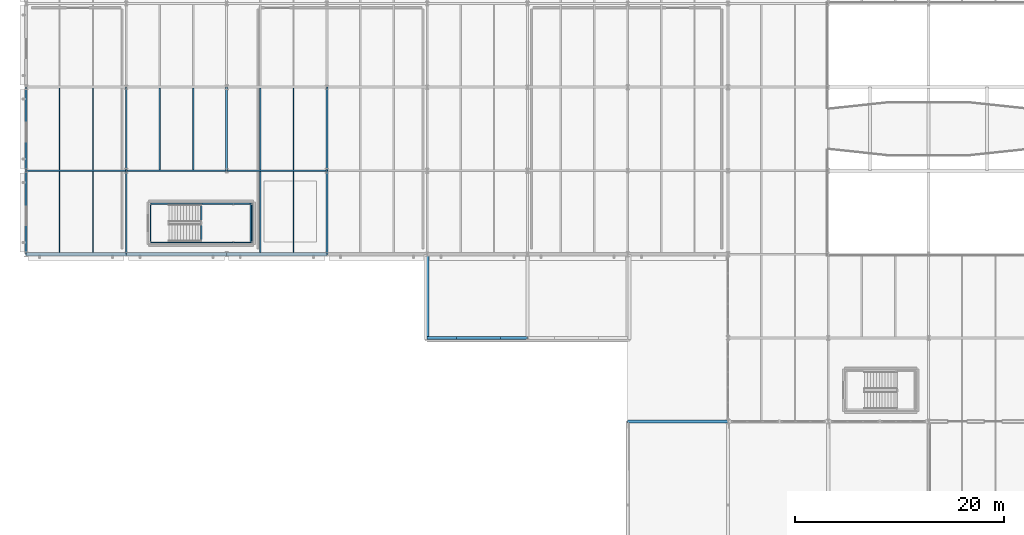
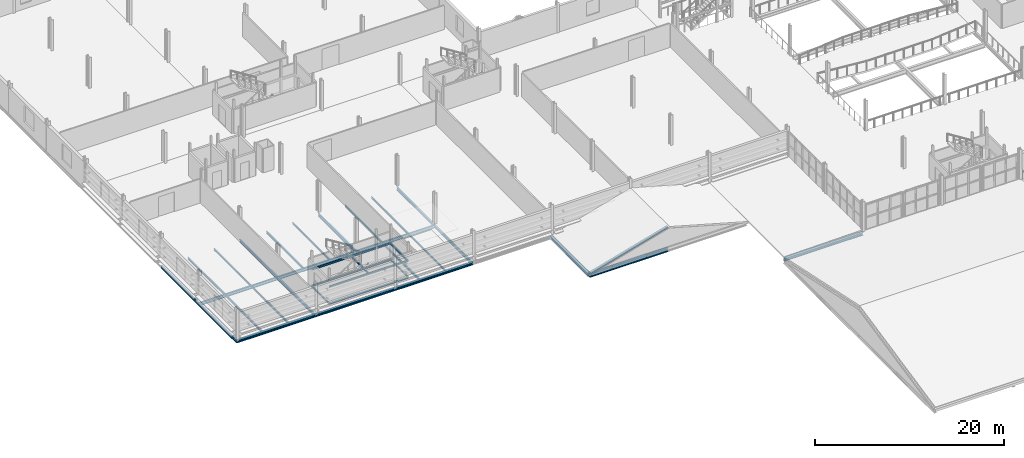
# One storey, part 27 of 85: 36 beams, 1 member.
"""IFC4 building model written with IfcOpenShell, lengths in metres."""

from ifc_helpers import new_model, si_unit, direction, frame, origin, origin_2d, place, context, subcontext, project, spatial, i_section, extrude, material, material_profile, profile_set, type_object, element, save


model = new_model("IFC4")

# Units and contexts
model_context = context("Model", 3, precision=1e-05, world=origin(), true_north=direction((0.0, 1.0)))
body_context = subcontext(model_context, "Body", "Model", "MODEL_VIEW")
ifc_project = project(units=[si_unit("LENGTHUNIT", "METRE"), si_unit("AREAUNIT", "SQUARE_METRE"), si_unit("VOLUMEUNIT", "CUBIC_METRE"), si_unit("PLANEANGLEUNIT", "RADIAN"), si_unit("MASSUNIT", "GRAM", prefix="KILO")], contexts=[model_context])

# Site, building, storey
site_placement = place(None, origin())
site = spatial("IfcSite", under=ifc_project, at=site_placement, CompositionType="ELEMENT")
building_placement = place(site_placement, origin())
building = spatial("IfcBuilding", under=site, at=building_placement, Name="Alderhovde Museum", CompositionType="ELEMENT")
storey_placement = place(building_placement, frame((0.0, 0.0, 8.699951171875)))
storey = spatial("IfcBuildingStorey", under=building, at=storey_placement, Name="L02", CompositionType="ELEMENT", Elevation=8.699951171875)

# Beams
ifc_material_1 = material(Name="Steel S355J2", Category="steel")
ifc_material_profile_1 = material_profile(ifc_material_1, i_section(OverallWidth=0.300048828125, OverallDepth=0.330078125, WebThickness=0.009521484375, FlangeThickness=0.0166015625, FilletRadius=0.027099609375, at=origin_2d()), Name="HEA 340")
ifc_profile_set_1 = profile_set([ifc_material_profile_1], Name="Steel S355J2")
beam_type_1 = type_object("IfcBeamType", Name="BM-HEA340", PredefinedType="BEAM", material=ifc_profile_set_1)
beam_1_placement = place(storey_placement, frame((67.199951171875, 32.0, -0.300048828125), z_axis=(1.0, 0.0, 0.0), x_axis=(0.0, 1.0, 0.0)))
element("IfcBeam", 1, at=beam_1_placement, inside=storey, type_object=beam_type_1, Name="Auditorium Roof Purlin Beam Y=32", PredefinedType="BEAM", context=body_context, shape_type="SweptSolid", body=[
    extrude(i_section(OverallWidth=0.300048828125, OverallDepth=0.330078125, WebThickness=0.009521484375, FlangeThickness=0.0166015625, FilletRadius=0.027099609375, at=origin_2d()), origin(), (0.0, 0.0, 1.0), 9.60009765625),
])
beam_2_placement = place(storey_placement, frame((48.0, 40.0, -0.429931640625), z_axis=(0.0, 1.0, 0.0), x_axis=(-1.0, 0.0, 0.0)))
element("IfcBeam", 2, at=beam_2_placement, inside=storey, type_object=beam_type_1, Name="Portico Cross Tie X=48.0", PredefinedType="BEAM", context=body_context, shape_type="SweptSolid", body=[
    extrude(i_section(OverallWidth=0.300048828125, OverallDepth=0.330078125, WebThickness=0.009521484375, FlangeThickness=0.0166015625, FilletRadius=0.027099609375, at=origin_2d()), origin(), (0.0, 0.0, 1.0), 8.0),
])
ifc_material_2 = material(Name="Steel S355J2", Category="steel")
ifc_material_profile_2 = material_profile(ifc_material_2, i_section(OverallWidth=0.300048828125, OverallDepth=0.449951171875, WebThickness=0.013916015625, FlangeThickness=0.02587890625, FilletRadius=0.027099609375, at=origin_2d()), Name="HEB 450")
ifc_profile_set_2 = profile_set([ifc_material_profile_2], Name="Steel S355J2")
beam_type_2 = type_object("IfcBeamType", Name="BM-HEB450", PredefinedType="BEAM", material=ifc_profile_set_2)
beam_3_placement = place(storey_placement, frame((48.0, 40.0, -0.48486328125), z_axis=(1.0, 0.0, 0.0), x_axis=(0.0, 1.0, 0.0)))
element("IfcBeam", 3, at=beam_3_placement, inside=storey, type_object=beam_type_2, Name="Portico Classical Entablature Beam (48.0 TO 50.8)", PredefinedType="BEAM", context=body_context, shape_type="SweptSolid", body=[
    extrude(i_section(OverallWidth=0.300048828125, OverallDepth=0.449951171875, WebThickness=0.013916015625, FlangeThickness=0.02587890625, FilletRadius=0.027099609375, at=origin_2d()), origin(), (0.0, 0.0, 1.0), 2.800048828125),
])
beam_4_placement = place(storey_placement, frame((50.800048828125, 40.0, -0.48486328125), z_axis=(1.0, 0.0, 0.0), x_axis=(0.0, 1.0, 0.0)))
element("IfcBeam", 4, at=beam_4_placement, inside=storey, type_object=beam_type_2, Name="Portico Classical Entablature Beam (50.8 TO 55.0)", PredefinedType="BEAM", context=body_context, shape_type="SweptSolid", body=[
    extrude(i_section(OverallWidth=0.300048828125, OverallDepth=0.449951171875, WebThickness=0.013916015625, FlangeThickness=0.02587890625, FilletRadius=0.027099609375, at=origin_2d()), origin(), (0.0, 0.0, 1.0), 4.199951171875),
])
beam_5_placement = place(storey_placement, frame((55.0, 40.0, -0.48486328125), z_axis=(1.0, 0.0, 0.0), x_axis=(0.0, 1.0, 0.0)))
element("IfcBeam", 5, at=beam_5_placement, inside=storey, type_object=beam_type_2, Name="Portico Classical Entablature Beam (55.0 TO 57.6)", PredefinedType="BEAM", context=body_context, shape_type="SweptSolid", body=[
    extrude(i_section(OverallWidth=0.300048828125, OverallDepth=0.449951171875, WebThickness=0.013916015625, FlangeThickness=0.02587890625, FilletRadius=0.027099609375, at=origin_2d()), origin(), (0.0, 0.0, 1.0), 2.60009765625),
])
ifc_material_3 = material(Name="Steel S355J2", Category="steel")
ifc_material_profile_3 = material_profile(ifc_material_3, i_section(OverallWidth=0.1201171875, OverallDepth=0.239990234375, WebThickness=0.006103515625, FlangeThickness=0.009765625, FilletRadius=0.014892578125, at=origin_2d()), Name="IPE 240")
ifc_profile_set_3 = profile_set([ifc_material_profile_3], Name="Steel S355J2")
beam_type_3 = type_object("IfcBeamType", Name="BM-IPE240", PredefinedType="BEAM", material=ifc_profile_set_3)
for number, where, z_axis, x_axis, name in (
    (6, (21.52001953125, 49.1201171875, -0.3798828125), (1.0, 0.0, 0.0), (0.0, 1.0, 0.0), "L02 Stair ST1 Floor Trimmer S"),
    (7, (21.52001953125, 52.840087890625, -0.3798828125), (1.0, 0.0, 0.0), (0.0, 1.0, 0.0), "L02 Stair ST1 Floor Trimmer N"),
):
    element("IfcBeam", number, at=place(storey_placement, frame(where, z_axis=z_axis, x_axis=x_axis)), inside=storey, type_object=beam_type_3, Name=name, PredefinedType="BEAM", context=body_context, shape_type="SweptSolid", body=[
        extrude(i_section(OverallWidth=0.1201171875, OverallDepth=0.239990234375, WebThickness=0.006103515625, FlangeThickness=0.009765625, FilletRadius=0.014892578125, at=origin_2d()), origin(), (0.0, 0.0, 1.0), 9.679931640625),
    ])
for number, where, z_axis, x_axis, name in (
    (8, (21.52001953125, 49.1201171875, -0.3798828125), (0.0, 1.0, 0.0), (-1.0, 0.0, 0.0), "L02 Stair ST1 Floor Trimmer W"),
    (9, (31.199951171875, 49.1201171875, -0.3798828125), (0.0, 1.0, 0.0), (-1.0, 0.0, 0.0), "L02 Stair ST1 Floor Trimmer E"),
):
    element("IfcBeam", number, at=place(storey_placement, frame(where, z_axis=z_axis, x_axis=x_axis)), inside=storey, type_object=beam_type_3, Name=name, PredefinedType="BEAM", context=body_context, shape_type="SweptSolid", body=[
        extrude(i_section(OverallWidth=0.1201171875, OverallDepth=0.239990234375, WebThickness=0.006103515625, FlangeThickness=0.009765625, FilletRadius=0.014892578125, at=origin_2d()), origin(), (0.0, 0.0, 1.0), 3.719970703125),
    ])
for number, where, z_axis, x_axis, name in (
    (10, (21.52001953125, 49.1201171875, 1.780029296875), (1.0, 0.0, 0.0), (0.0, 1.0, 0.0), "L02 Stair ST1 Landing 1 Beam S"),
    (11, (21.52001953125, 52.840087890625, 1.780029296875), (1.0, 0.0, 0.0), (0.0, 1.0, 0.0), "L02 Stair ST1 Landing 1 Beam N"),
):
    element("IfcBeam", number, at=place(storey_placement, frame(where, z_axis=z_axis, x_axis=x_axis)), inside=storey, type_object=beam_type_3, Name=name, PredefinedType="BEAM", context=body_context, shape_type="SweptSolid", body=[
        extrude(i_section(OverallWidth=0.1201171875, OverallDepth=0.239990234375, WebThickness=0.006103515625, FlangeThickness=0.009765625, FilletRadius=0.014892578125, at=origin_2d()), origin(), (0.0, 0.0, 1.0), 9.679931640625),
    ])
for number, where, z_axis, x_axis, name in (
    (12, (26.360107421875, 49.1201171875, 1.780029296875), (0.0, 1.0, 0.0), (-1.0, 0.0, 0.0), "L02 Stair ST1 Landing 1 Beam W"),
    (13, (31.1201171875, 49.1201171875, 1.780029296875), (0.0, 1.0, 0.0), (-1.0, 0.0, 0.0), "L02 Stair ST1 Landing 1 Beam E"),
):
    element("IfcBeam", number, at=place(storey_placement, frame(where, z_axis=z_axis, x_axis=x_axis)), inside=storey, type_object=beam_type_3, Name=name, PredefinedType="BEAM", context=body_context, shape_type="SweptSolid", body=[
        extrude(i_section(OverallWidth=0.1201171875, OverallDepth=0.239990234375, WebThickness=0.006103515625, FlangeThickness=0.009765625, FilletRadius=0.014892578125, at=origin_2d()), origin(), (0.0, 0.0, 1.0), 3.719970703125),
    ])
ifc_material_4 = material(Name="Steel S355J2", Category="steel")
ifc_material_profile_4 = material_profile(ifc_material_4, i_section(OverallWidth=0.169921875, OverallDepth=0.360107421875, WebThickness=0.008056640625, FlangeThickness=0.0126953125, FilletRadius=0.01806640625, at=origin_2d()), Name="IPE 360")
ifc_profile_set_4 = profile_set([ifc_material_profile_4], Name="Steel S355J2")
beam_type_4 = type_object("IfcBeamType", Name="BM-IPE360", PredefinedType="BEAM", material=ifc_profile_set_4)
for number, where, z_axis, x_axis, name in (
    (14, (9.60009765625, 48.0, -0.43994140625), (0.0, 1.0, 0.0), (-1.0, 0.0, 0.0), "L02 Grid Beam X=9.6 (48.0 TO 56.0)"),
    (15, (9.60009765625, 56.0, -0.43994140625), (0.0, 1.0, 0.0), (-1.0, 0.0, 0.0), "L02 Grid Beam X=9.6 (56.0 TO 64.0)"),
    (16, (19.199951171875, 48.0, -0.43994140625), (0.0, 1.0, 0.0), (-1.0, 0.0, 0.0), "L02 Grid Beam X=19.2 (48.0 TO 56.0)"),
    (17, (19.199951171875, 56.0, -0.43994140625), (0.0, 1.0, 0.0), (-1.0, 0.0, 0.0), "L02 Grid Beam X=19.2 (56.0 TO 64.0)"),
    (18, (28.800048828125, 56.0, -0.43994140625), (0.0, 1.0, 0.0), (-1.0, 0.0, 0.0), "L02 Grid Beam X=28.8 (56.0 TO 64.0)"),
    (19, (38.39990234375, 48.0, -0.43994140625), (0.0, 1.0, 0.0), (-1.0, 0.0, 0.0), "L02 Grid Beam X=38.4 (48.0 TO 56.0)"),
    (20, (38.39990234375, 56.0, -0.43994140625), (0.0, 1.0, 0.0), (-1.0, 0.0, 0.0), "L02 Grid Beam X=38.4 (56.0 TO 64.0)"),
):
    element("IfcBeam", number, at=place(storey_placement, frame(where, z_axis=z_axis, x_axis=x_axis)), inside=storey, type_object=beam_type_4, Name=name, PredefinedType="BEAM", context=body_context, shape_type="SweptSolid", body=[
        extrude(i_section(OverallWidth=0.169921875, OverallDepth=0.360107421875, WebThickness=0.008056640625, FlangeThickness=0.0126953125, FilletRadius=0.01806640625, at=origin_2d()), origin(), (0.0, 0.0, 1.0), 8.0),
    ])
ifc_material_5 = material(Name="Steel S355J2", Category="steel")
ifc_material_profile_5 = material_profile(ifc_material_5, i_section(OverallWidth=0.179931640625, OverallDepth=0.39990234375, WebThickness=0.008544921875, FlangeThickness=0.013427734375, FilletRadius=0.02099609375, at=origin_2d()), Name="IPE 400")
ifc_profile_set_5 = profile_set([ifc_material_profile_5], Name="Steel S355J2")
beam_type_5 = type_object("IfcBeamType", Name="BM-IPE400", PredefinedType="BEAM", material=ifc_profile_set_5)
beam_6_placement = place(storey_placement, frame((9.60009765625, 56.0, -0.4599609375), z_axis=(1.0, 0.0, 0.0), x_axis=(0.0, 1.0, 0.0)))
element("IfcBeam", 21, at=beam_6_placement, inside=storey, type_object=beam_type_5, Name="L02 Grid Beam Y=56.0 (9.6 TO 19.2)", PredefinedType="BEAM", context=body_context, shape_type="SweptSolid", body=[
    extrude(i_section(OverallWidth=0.179931640625, OverallDepth=0.39990234375, WebThickness=0.008544921875, FlangeThickness=0.013427734375, FilletRadius=0.02099609375, at=origin_2d()), origin(), (0.0, 0.0, 1.0), 9.599853515625),
])
beam_7_placement = place(storey_placement, frame((19.199951171875, 56.0, -0.4599609375), z_axis=(1.0, 0.0, 0.0), x_axis=(0.0, 1.0, 0.0)))
element("IfcBeam", 22, at=beam_7_placement, inside=storey, type_object=beam_type_5, Name="L02 Grid Beam Y=56.0 (19.2 TO 28.8)", PredefinedType="BEAM", context=body_context, shape_type="SweptSolid", body=[
    extrude(i_section(OverallWidth=0.179931640625, OverallDepth=0.39990234375, WebThickness=0.008544921875, FlangeThickness=0.013427734375, FilletRadius=0.02099609375, at=origin_2d()), origin(), (0.0, 0.0, 1.0), 9.60009765625),
])
beam_8_placement = place(storey_placement, frame((28.800048828125, 56.0, -0.4599609375), z_axis=(1.0, 0.0, 0.0), x_axis=(0.0, 1.0, 0.0)))
element("IfcBeam", 23, at=beam_8_placement, inside=storey, type_object=beam_type_5, Name="L02 Grid Beam Y=56.0 (28.8 TO 38.4)", PredefinedType="BEAM", context=body_context, shape_type="SweptSolid", body=[
    extrude(i_section(OverallWidth=0.179931640625, OverallDepth=0.39990234375, WebThickness=0.008544921875, FlangeThickness=0.013427734375, FilletRadius=0.02099609375, at=origin_2d()), origin(), (0.0, 0.0, 1.0), 9.599853515625),
])
ifc_material_6 = material(Name="Steel S355J2", Category="steel")
ifc_material_profile_6 = material_profile(ifc_material_6, i_section(OverallWidth=0.1201171875, OverallDepth=0.239990234375, WebThickness=0.006103515625, FlangeThickness=0.009765625, FilletRadius=0.014892578125, at=origin_2d()), Name="IPE 240")
ifc_profile_set_6 = profile_set([ifc_material_profile_6], Name="Steel S355J2")
beam_type_6 = type_object("IfcBeamType", Name="JST-IPE240", PredefinedType="JOIST", material=ifc_profile_set_6)
beam_9_placement = place(storey_placement, frame((16.0, 48.14990234375, -0.3798828125), z_axis=(0.0, 1.0, 0.0), x_axis=(-1.0, 0.0, 0.0)))
element("IfcBeam", 24, at=beam_9_placement, inside=storey, type_object=beam_type_6, Name="L02 Composite Joist X=16.0 (48.0 TO 56.0)", PredefinedType="JOIST", context=body_context, shape_type="SweptSolid", body=[
    extrude(i_section(OverallWidth=0.1201171875, OverallDepth=0.239990234375, WebThickness=0.006103515625, FlangeThickness=0.009765625, FilletRadius=0.014892578125, at=origin_2d()), origin(), (0.0, 0.0, 1.0), 7.760009765625),
])
for number, where, z_axis, x_axis, name in (
    (25, (16.0, 56.090087890625, -0.3798828125), (0.0, 1.0, 0.0), (-1.0, 0.0, 0.0), "L02 Composite Joist X=16.0 (56.0 TO 64.0)"),
    (26, (25.60009765625, 56.090087890625, -0.3798828125), (0.0, 1.0, 0.0), (-1.0, 0.0, 0.0), "L02 Composite Joist X=25.6 (56.0 TO 64.0)"),
):
    element("IfcBeam", number, at=place(storey_placement, frame(where, z_axis=z_axis, x_axis=x_axis)), inside=storey, type_object=beam_type_6, Name=name, PredefinedType="JOIST", context=body_context, shape_type="SweptSolid", body=[
        extrude(i_section(OverallWidth=0.1201171875, OverallDepth=0.239990234375, WebThickness=0.006103515625, FlangeThickness=0.009765625, FilletRadius=0.014892578125, at=origin_2d()), origin(), (0.0, 0.0, 1.0), 7.81982421875),
    ])
beam_10_placement = place(storey_placement, frame((35.199951171875, 48.14990234375, -0.3798828125), z_axis=(0.0, 1.0, 0.0), x_axis=(-1.0, 0.0, 0.0)))
element("IfcBeam", 27, at=beam_10_placement, inside=storey, type_object=beam_type_6, Name="L02 Composite Joist X=35.2 (48.0 TO 56.0)", PredefinedType="JOIST", context=body_context, shape_type="SweptSolid", body=[
    extrude(i_section(OverallWidth=0.1201171875, OverallDepth=0.239990234375, WebThickness=0.006103515625, FlangeThickness=0.009765625, FilletRadius=0.014892578125, at=origin_2d()), origin(), (0.0, 0.0, 1.0), 7.760009765625),
])
beam_11_placement = place(storey_placement, frame((35.199951171875, 56.090087890625, -0.3798828125), z_axis=(0.0, 1.0, 0.0), x_axis=(-1.0, 0.0, 0.0)))
element("IfcBeam", 28, at=beam_11_placement, inside=storey, type_object=beam_type_6, Name="L02 Composite Joist X=35.2 (56.0 TO 64.0)", PredefinedType="JOIST", context=body_context, shape_type="SweptSolid", body=[
    extrude(i_section(OverallWidth=0.1201171875, OverallDepth=0.239990234375, WebThickness=0.006103515625, FlangeThickness=0.009765625, FilletRadius=0.014892578125, at=origin_2d()), origin(), (0.0, 0.0, 1.0), 7.81982421875),
])
ifc_material_7 = material(Name="Steel S355J2", Category="steel")
ifc_material_profile_7 = material_profile(ifc_material_7, i_section(OverallWidth=0.135009765625, OverallDepth=0.27001953125, WebThickness=0.006591796875, FlangeThickness=0.01025390625, FilletRadius=0.014892578125, at=origin_2d()), Name="IPE 270")
ifc_profile_set_7 = profile_set([ifc_material_profile_7], Name="Steel S355J2")
beam_type_7 = type_object("IfcBeamType", Name="JST-IPE270", PredefinedType="JOIST", material=ifc_profile_set_7)
beam_12_placement = place(storey_placement, frame((12.800048828125, 48.14990234375, -0.39501953125), z_axis=(0.0, 1.0, 0.0), x_axis=(-1.0, 0.0, 0.0)))
element("IfcBeam", 29, at=beam_12_placement, inside=storey, type_object=beam_type_7, Name="L02 Composite Joist X=12.8 (48.0 TO 56.0)", PredefinedType="JOIST", context=body_context, shape_type="SweptSolid", body=[
    extrude(i_section(OverallWidth=0.135009765625, OverallDepth=0.27001953125, WebThickness=0.006591796875, FlangeThickness=0.01025390625, FilletRadius=0.014892578125, at=origin_2d()), origin(), (0.0, 0.0, 1.0), 7.760009765625),
])
for number, where, z_axis, x_axis, name in (
    (30, (12.800048828125, 56.090087890625, -0.39501953125), (0.0, 1.0, 0.0), (-1.0, 0.0, 0.0), "L02 Composite Joist X=12.8 (56.0 TO 64.0)"),
    (31, (22.39990234375, 56.090087890625, -0.39501953125), (0.0, 1.0, 0.0), (-1.0, 0.0, 0.0), "L02 Composite Joist X=22.4 (56.0 TO 64.0)"),
):
    element("IfcBeam", number, at=place(storey_placement, frame(where, z_axis=z_axis, x_axis=x_axis)), inside=storey, type_object=beam_type_7, Name=name, PredefinedType="JOIST", context=body_context, shape_type="SweptSolid", body=[
        extrude(i_section(OverallWidth=0.135009765625, OverallDepth=0.27001953125, WebThickness=0.006591796875, FlangeThickness=0.01025390625, FilletRadius=0.014892578125, at=origin_2d()), origin(), (0.0, 0.0, 1.0), 7.81982421875),
    ])
beam_13_placement = place(storey_placement, frame((32.0, 48.14990234375, -0.39501953125), z_axis=(0.0, 1.0, 0.0), x_axis=(-1.0, 0.0, 0.0)))
element("IfcBeam", 32, at=beam_13_placement, inside=storey, type_object=beam_type_7, Name="L02 Composite Joist X=32.0 (48.0 TO 56.0)", PredefinedType="JOIST", context=body_context, shape_type="SweptSolid", body=[
    extrude(i_section(OverallWidth=0.135009765625, OverallDepth=0.27001953125, WebThickness=0.006591796875, FlangeThickness=0.01025390625, FilletRadius=0.014892578125, at=origin_2d()), origin(), (0.0, 0.0, 1.0), 7.760009765625),
])
beam_14_placement = place(storey_placement, frame((32.0, 56.090087890625, -0.39501953125), z_axis=(0.0, 1.0, 0.0), x_axis=(-1.0, 0.0, 0.0)))
element("IfcBeam", 33, at=beam_14_placement, inside=storey, type_object=beam_type_7, Name="L02 Composite Joist X=32.0 (56.0 TO 64.0)", PredefinedType="JOIST", context=body_context, shape_type="SweptSolid", body=[
    extrude(i_section(OverallWidth=0.135009765625, OverallDepth=0.27001953125, WebThickness=0.006591796875, FlangeThickness=0.01025390625, FilletRadius=0.014892578125, at=origin_2d()), origin(), (0.0, 0.0, 1.0), 7.81982421875),
])
ifc_material_8 = material(Name="Steel S355J2", Category="steel")
ifc_material_profile_8 = material_profile(ifc_material_8, i_section(OverallWidth=0.300048828125, OverallDepth=0.2900390625, WebThickness=0.008544921875, FlangeThickness=0.013916015625, FilletRadius=0.027099609375, at=origin_2d()), Name="HEA 300")
ifc_profile_set_8 = profile_set([ifc_material_profile_8], Name="Steel S355J2")
beam_type_8 = type_object("IfcBeamType", Name="SPD-HEA300", PredefinedType="SPANDREL", material=ifc_profile_set_8)
beam_15_placement = place(storey_placement, frame((9.60009765625, 48.0, -0.405029296875), z_axis=(1.0, 0.0, 0.0), x_axis=(0.0, 1.0, 0.0)))
element("IfcBeam", 34, at=beam_15_placement, inside=storey, type_object=beam_type_8, Name="L02 Grid Beam Y=48.0 (9.6 TO 19.2)", PredefinedType="SPANDREL", context=body_context, shape_type="SweptSolid", body=[
    extrude(i_section(OverallWidth=0.300048828125, OverallDepth=0.2900390625, WebThickness=0.008544921875, FlangeThickness=0.013916015625, FilletRadius=0.027099609375, at=origin_2d()), origin(), (0.0, 0.0, 1.0), 9.599853515625),
])
beam_16_placement = place(storey_placement, frame((19.199951171875, 48.0, -0.405029296875), z_axis=(1.0, 0.0, 0.0), x_axis=(0.0, 1.0, 0.0)))
element("IfcBeam", 35, at=beam_16_placement, inside=storey, type_object=beam_type_8, Name="L02 Grid Beam Y=48.0 (19.2 TO 28.8)", PredefinedType="SPANDREL", context=body_context, shape_type="SweptSolid", body=[
    extrude(i_section(OverallWidth=0.300048828125, OverallDepth=0.2900390625, WebThickness=0.008544921875, FlangeThickness=0.013916015625, FilletRadius=0.027099609375, at=origin_2d()), origin(), (0.0, 0.0, 1.0), 9.60009765625),
])
beam_17_placement = place(storey_placement, frame((28.800048828125, 48.0, -0.405029296875), z_axis=(1.0, 0.0, 0.0), x_axis=(0.0, 1.0, 0.0)))
element("IfcBeam", 36, at=beam_17_placement, inside=storey, type_object=beam_type_8, Name="L02 Grid Beam Y=48.0 (28.8 TO 38.4)", PredefinedType="SPANDREL", context=body_context, shape_type="SweptSolid", body=[
    extrude(i_section(OverallWidth=0.300048828125, OverallDepth=0.2900390625, WebThickness=0.008544921875, FlangeThickness=0.013916015625, FilletRadius=0.027099609375, at=origin_2d()), origin(), (0.0, 0.0, 1.0), 9.599853515625),
])

# Member
ifc_material_9 = material(Name="Steel S355J2", Category="steel")
ifc_material_profile_9 = material_profile(ifc_material_9, i_section(OverallWidth=0.260009765625, OverallDepth=0.25, WebThickness=0.007568359375, FlangeThickness=0.012451171875, FilletRadius=0.02392578125, at=origin_2d()), Name="HEA 260")
ifc_profile_set_9 = profile_set([ifc_material_profile_9], Name="Steel S355J2")
member_type = type_object("IfcMemberType", Name="TR-CH-HEA260", PredefinedType="CHORD", material=ifc_profile_set_9)
member_placement = place(storey_placement, frame((48.0, 40.0, -0.260009765625), z_axis=(0.962390956137, 0.0, 0.271668267462), x_axis=(0.0, 1.0, 0.0)))
element("IfcMember", 37, at=member_placement, inside=storey, type_object=member_type, Name="Portico Pediment West Rafter Y=40", PredefinedType="CHORD", context=body_context, shape_type="SweptSolid", body=[
    extrude(i_section(OverallWidth=0.260009765625, OverallDepth=0.25, WebThickness=0.007568359375, FlangeThickness=0.012451171875, FilletRadius=0.02392578125, at=origin_2d()), origin(), (0.0, 0.0, 1.0), 9.975341796875),
])

save(model, "model.ifc")
